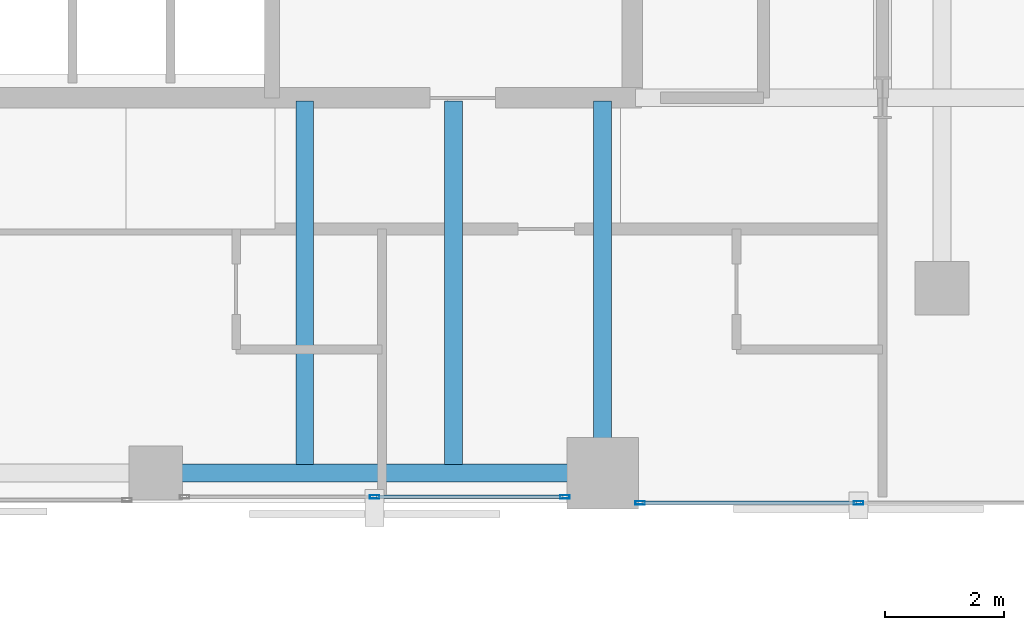
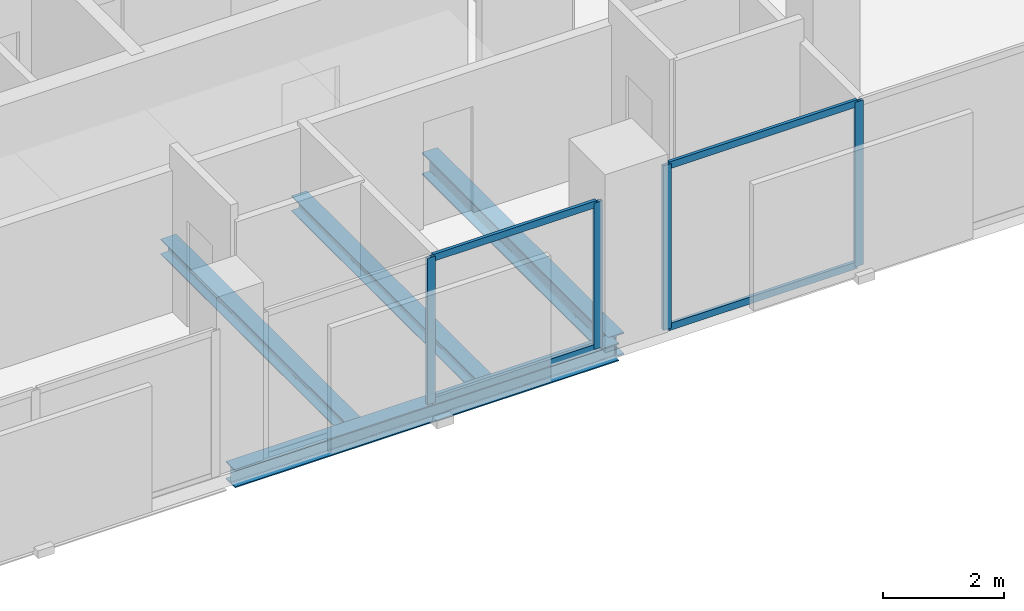
# One storey, part 14 of 33: 8 members, 4 beams, 2 elements without a shape of their own.
"""IFC4 building model written with IfcOpenShell, lengths in metres."""

from ifc_helpers import new_model, si_unit, direction, frame, origin, origin_2d, place, context, subcontext, project, spatial, hollow_rectangle, i_section, extrude, material, layer, layer_set, material_profile, profile_set, type_object, element, aggregate, save


model = new_model("IFC4")

# Units and contexts
model_context = context("Model", 3, precision=1e-05, world=origin(), true_north=direction((0.0, 1.0)))
body_context = subcontext(model_context, "Body", "Model", "MODEL_VIEW")
ifc_project = project(units=[si_unit("LENGTHUNIT", "METRE"), si_unit("AREAUNIT", "SQUARE_METRE"), si_unit("VOLUMEUNIT", "CUBIC_METRE"), si_unit("PLANEANGLEUNIT", "RADIAN"), si_unit("MASSUNIT", "GRAM", prefix="KILO")], contexts=[model_context])

# Site, building, storey
site_placement = place(None, origin())
site = spatial("IfcSite", under=ifc_project, at=site_placement, CompositionType="ELEMENT")
building_placement = place(site_placement, origin())
building = spatial("IfcBuilding", under=site, at=building_placement, Name="Catumbela Crestline Tower", CompositionType="ELEMENT")
storey_placement = place(building_placement, frame((0.0, 0.0, 104.4)))
storey = spatial("IfcBuildingStorey", under=building, at=storey_placement, Name="L26", CompositionType="ELEMENT", Elevation=104.4)

# Beams
ifc_material_1 = material(Name="Structural steel S355J2", Category="steel")
ifc_material_profile_1 = material_profile(ifc_material_1, i_section(OverallWidth=0.3, OverallDepth=0.45, WebThickness=0.014, FlangeThickness=0.026, FilletRadius=0.027, at=origin_2d()), Name="HEB 450")
ifc_profile_set_1 = profile_set([ifc_material_profile_1], Name="Structural steel S355J2")
beam_type_1 = type_object("IfcBeamType", Name="BG-HEB450", PredefinedType="BEAM", material=ifc_profile_set_1)
beam_1_placement = place(storey_placement, frame((39.5, 24.58, -0.485), z_axis=(0.0, 1.0, 0.0), x_axis=(-1.0, 0.0, 0.0)))
element("IfcBeam", 1, at=beam_1_placement, inside=storey, type_object=beam_type_1, Name="L26 Beam BM-L26-SNS31", PredefinedType="BEAM", context=body_context, shape_type="SweptSolid", body=[
    extrude(i_section(OverallWidth=0.3, OverallDepth=0.45, WebThickness=0.014, FlangeThickness=0.026, FilletRadius=0.027, at=origin_2d()), origin(), (0.0, 0.0, 1.0), 6.17),
])
ifc_material_profile_2 = material_profile(ifc_material_1, i_section(OverallWidth=0.3, OverallDepth=0.31, WebThickness=0.009, FlangeThickness=0.0155, FilletRadius=0.027, at=origin_2d()), Name="HEA 320")
ifc_profile_set_2 = profile_set([ifc_material_profile_2], Name="Structural steel S355J2")
beam_type_2 = type_object("IfcBeamType", Name="BJ-HEA320", PredefinedType="JOIST", material=ifc_profile_set_2)
for number, where, z_axis, x_axis, name in (
    (2, (34.5, 24.647, -0.415), (0.0, 1.0, 0.0), (-1.0, 0.0, 0.0), "L26 Joist JS-L26-SP41"),
    (3, (37.0, 24.647, -0.415), (0.0, 1.0, 0.0), (-1.0, 0.0, 0.0), "L26 Joist JS-L26-SP42"),
):
    element("IfcBeam", number, at=place(storey_placement, frame(where, z_axis=z_axis, x_axis=x_axis)), inside=storey, type_object=beam_type_2, Name=name, PredefinedType="JOIST", context=body_context, shape_type="SweptSolid", body=[
        extrude(i_section(OverallWidth=0.3, OverallDepth=0.31, WebThickness=0.009, FlangeThickness=0.0155, FilletRadius=0.027, at=origin_2d()), origin(), (0.0, 0.0, 1.0), 6.103),
    ])

# Curtain wall, members
ifc_material_2 = material(Name="Aluminium alloy AW-6060-T66", Category="aluminium")
ifc_layer = layer(ifc_material_2, 0.18, Name="Aluminium alloy AW-6060-T66")
ifc_layer_set = layer_set([ifc_layer], Name="Aluminium alloy AW-6060-T66")
curtain_wall_type = type_object("IfcCurtainWallType", Name="CWU-Z2", PredefinedType="USERDEFINED", material=ifc_layer_set)
curtain_wall_1_placement = place(storey_placement, origin())
curtain_wall_1 = element("IfcCurtainWall", 4, at=curtain_wall_1_placement, inside=storey, type_object=curtain_wall_type, Name="L26 Unitised Curtain Wall CW-L26-E3S2", ObjectType="UNITISED", PredefinedType="USERDEFINED")
ifc_material_profile_3 = material_profile(ifc_material_2, hollow_rectangle(XDim=0.06, YDim=0.16, WallThickness=0.004, at=origin_2d()), Name="ALU 160x60x4")
ifc_profile_set_3 = profile_set([ifc_material_profile_3], Name="Aluminium alloy AW-6060-T66")
member_type_1 = type_object("IfcMemberType", Name="MUL-160X60", PredefinedType="MULLION", material=ifc_profile_set_3)
member_1_placement = place(storey_placement, frame((35.675, 24.1, 0.0), z_axis=(0.0, 0.0, 1.0), x_axis=(0.0, 1.0, 0.0)))
member_1 = element("IfcMember", 5, at=member_1_placement, type_object=member_type_1, Name="CWU-Z2 mullion 2", PredefinedType="MULLION", context=body_context, shape_type="SweptSolid", body=[
    extrude(hollow_rectangle(XDim=0.06, YDim=0.16, WallThickness=0.004, at=origin_2d()), origin(), (0.0, 0.0, 1.0), 2.96),
])
member_2_placement = place(storey_placement, frame((38.8675, 24.1, 0.0), z_axis=(0.0, 0.0, 1.0), x_axis=(0.0, 1.0, 0.0)))
member_2 = element("IfcMember", 6, at=member_2_placement, type_object=member_type_1, Name="CWU-Z2 mullion 3", PredefinedType="MULLION", context=body_context, shape_type="SweptSolid", body=[
    extrude(hollow_rectangle(XDim=0.06, YDim=0.16, WallThickness=0.004, at=origin_2d()), origin(), (0.0, 0.0, 1.0), 2.96),
])

curtain_wall_2_placement = place(storey_placement, origin())
curtain_wall_2 = element("IfcCurtainWall", 7, at=curtain_wall_2_placement, inside=storey, type_object=curtain_wall_type, Name="L26 Unitised Curtain Wall CW-L26-E3S3", ObjectType="UNITISED", PredefinedType="USERDEFINED")
member_3_placement = place(storey_placement, frame((40.1325, 24.0, 0.0), z_axis=(0.0, 0.0, 1.0), x_axis=(0.0, 1.0, 0.0)))
member_3 = element("IfcMember", 8, at=member_3_placement, type_object=member_type_1, Name="CWU-Z2 mullion 1", PredefinedType="MULLION", context=body_context, shape_type="SweptSolid", body=[
    extrude(hollow_rectangle(XDim=0.06, YDim=0.16, WallThickness=0.004, at=origin_2d()), origin(), (0.0, 0.0, 1.0), 3.33),
])
member_4_placement = place(storey_placement, frame((43.8, 24.0, 0.0), z_axis=(0.0, 0.0, 1.0), x_axis=(0.0, 1.0, 0.0)))
member_4 = element("IfcMember", 9, at=member_4_placement, type_object=member_type_1, Name="CWU-Z2 mullion 2", PredefinedType="MULLION", context=body_context, shape_type="SweptSolid", body=[
    extrude(hollow_rectangle(XDim=0.06, YDim=0.16, WallThickness=0.004, at=origin_2d()), origin(), (0.0, 0.0, 1.0), 3.33),
])

# Beam
ifc_material_profile_4 = material_profile(ifc_material_1, i_section(OverallWidth=0.3, OverallDepth=0.36, WebThickness=0.0125, FlangeThickness=0.0225, FilletRadius=0.027, at=origin_2d()), Name="HEB 360")
ifc_profile_set_4 = profile_set([ifc_material_profile_4], Name="Structural steel S355J2")
beam_type_3 = type_object("IfcBeamType", Name="BS-HEB360", PredefinedType="SPANDREL", material=ifc_profile_set_4)
beam_2_placement = place(storey_placement, frame((32.08, 24.5, -0.44), z_axis=(1.0, 0.0, 0.0), x_axis=(0.0, 1.0, 0.0)))
element("IfcBeam", 10, at=beam_2_placement, inside=storey, type_object=beam_type_3, Name="L26 Spandrel SP-L26-S06", PredefinedType="SPANDREL", context=body_context, shape_type="SweptSolid", body=[
    extrude(i_section(OverallWidth=0.3, OverallDepth=0.36, WebThickness=0.0125, FlangeThickness=0.0225, FilletRadius=0.027, at=origin_2d()), origin(), (0.0, 0.0, 1.0), 7.34),
])

# Member
ifc_material_profile_5 = material_profile(ifc_material_2, hollow_rectangle(XDim=0.06, YDim=0.14, WallThickness=0.004, at=origin_2d()), Name="ALU 140x60x4")
ifc_profile_set_5 = profile_set([ifc_material_profile_5], Name="Aluminium alloy AW-6060-T66")
member_type_2 = type_object("IfcMemberType", Name="TRN-140X60", PredefinedType="USERDEFINED", material=ifc_profile_set_5)
member_5_placement = place(storey_placement, frame((35.7075, 24.1, 0.03), z_axis=(1.0, 0.0, 0.0), x_axis=(0.0, 1.0, 0.0)))
member_5 = element("IfcMember", 11, at=member_5_placement, type_object=member_type_2, Name="CWU-Z2 transom 2.1", ObjectType="TRANSOM", PredefinedType="USERDEFINED", context=body_context, shape_type="SweptSolid", body=[
    extrude(hollow_rectangle(XDim=0.06, YDim=0.14, WallThickness=0.004, at=origin_2d()), origin(), (0.0, 0.0, 1.0), 3.1275),
])

member_6_placement = place(storey_placement, frame((35.7075, 24.1, 2.93), z_axis=(1.0, 0.0, 0.0), x_axis=(0.0, 1.0, 0.0)))
member_6 = element("IfcMember", 12, at=member_6_placement, type_object=member_type_2, Name="CWU-Z2 transom 2.2", ObjectType="TRANSOM", PredefinedType="USERDEFINED", context=body_context, shape_type="SweptSolid", body=[
    extrude(hollow_rectangle(XDim=0.06, YDim=0.14, WallThickness=0.004, at=origin_2d()), origin(), (0.0, 0.0, 1.0), 3.1275),
])

aggregate(curtain_wall_1, [member_1, member_2, member_5, member_6])

member_7_placement = place(storey_placement, frame((40.165, 24.0, 0.03), z_axis=(1.0, 0.0, 0.0), x_axis=(0.0, 1.0, 0.0)))
member_7 = element("IfcMember", 13, at=member_7_placement, type_object=member_type_2, Name="CWU-Z2 transom 1.1", ObjectType="TRANSOM", PredefinedType="USERDEFINED", context=body_context, shape_type="SweptSolid", body=[
    extrude(hollow_rectangle(XDim=0.06, YDim=0.14, WallThickness=0.004, at=origin_2d()), origin(), (0.0, 0.0, 1.0), 3.6025),
])

member_8_placement = place(storey_placement, frame((40.165, 24.0, 3.3), z_axis=(1.0, 0.0, 0.0), x_axis=(0.0, 1.0, 0.0)))
member_8 = element("IfcMember", 14, at=member_8_placement, type_object=member_type_2, Name="CWU-Z2 transom 1.2", ObjectType="TRANSOM", PredefinedType="USERDEFINED", context=body_context, shape_type="SweptSolid", body=[
    extrude(hollow_rectangle(XDim=0.06, YDim=0.14, WallThickness=0.004, at=origin_2d()), origin(), (0.0, 0.0, 1.0), 3.6025),
])

aggregate(curtain_wall_2, [member_3, member_4, member_7, member_8])

save(model, "model.ifc")
